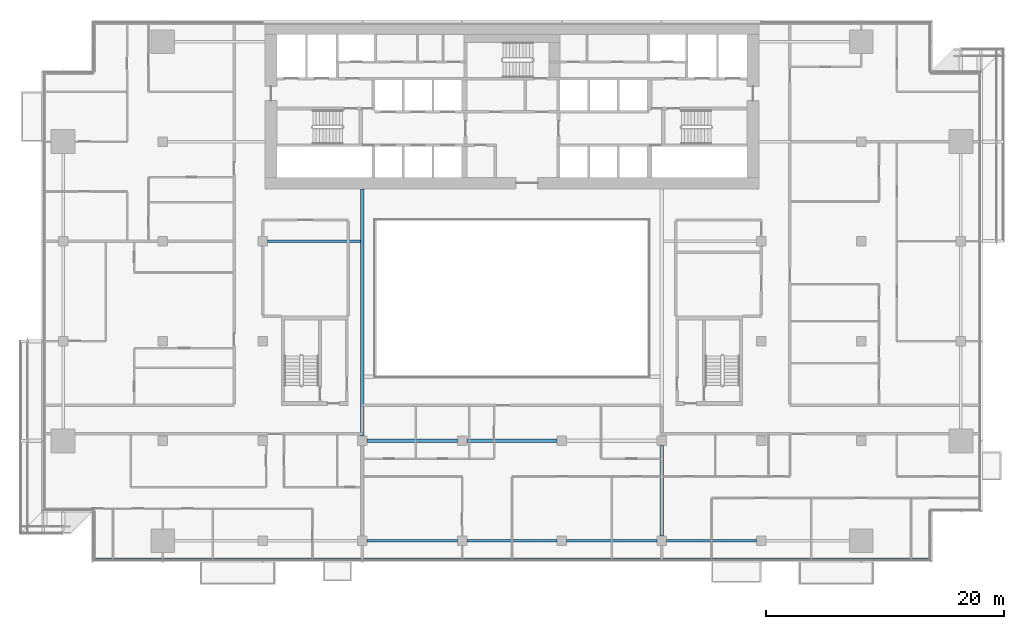
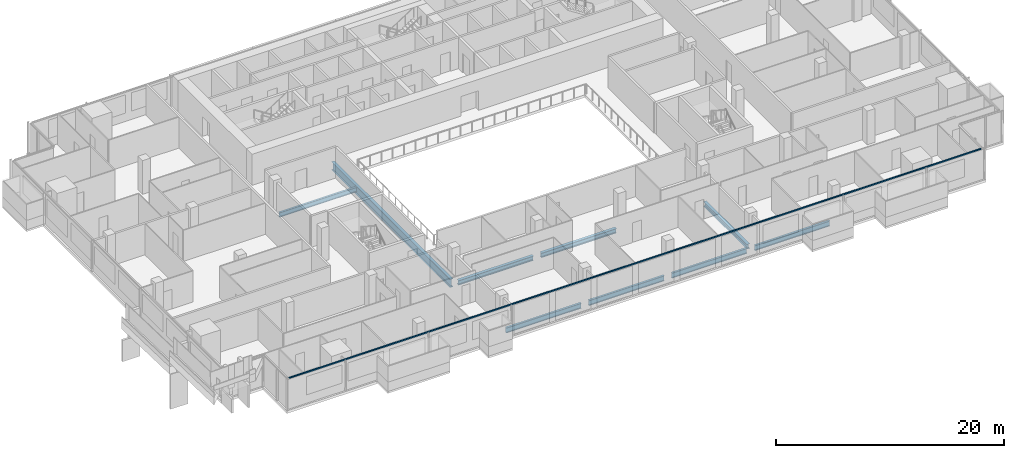
# One storey, part 5 of 29: 9 beams, 1 member, 1 element without a shape of its own.
"""IFC4 building model written with IfcOpenShell, lengths in metres."""

import ifcopenshell
import ifcopenshell.guid

model = None  # the IFC model being written
_history = None  # IfcOwnerHistory: only IFC2X3 demands one
_inside = {}  # id of a spatial element -> (the spatial element, [elements in it])
_under = {}  # id of a project, library or spatial element -> (it, [spatial elements below it])
_declared = {}  # id of a project -> (the project, [libraries it declares])
_typed = {}  # id of a type object -> (the type object, [elements of that type])
_made_of = {}  # id of a material, layer set ... -> (it, [elements and type objects made of it])


def new_model(schema):
    """Start an empty IFC model of exactly this schema.

    Asked for "IFC4X3", IfcOpenShell would pick the latest addendum, in which some entities
    have other attributes; the version numbers below select the first issue.
    IFC2X3 requires an IfcOwnerHistory on every rooted entity: one is made here for all.
    """
    global model, _history
    if schema == "IFC4X3":
        model = ifcopenshell.file(schema_version=(4, 3, 0, 0))
    else:
        model = ifcopenshell.file(schema=schema)
    _inside.clear()
    _under.clear()
    _declared.clear()
    _typed.clear()
    _made_of.clear()
    _history = None
    if model.schema == "IFC2X3":
        org = make("IfcOrganization", Name="unknown")
        user = make(
            "IfcPersonAndOrganization",
            ThePerson=make("IfcPerson", FamilyName="unknown"),
            TheOrganization=org,
        )
        app = make(
            "IfcApplication",
            ApplicationDeveloper=org,
            Version="unknown",
            ApplicationFullName="unknown",
            ApplicationIdentifier="unknown",
        )
        _history = make(
            "IfcOwnerHistory",
            OwningUser=user,
            OwningApplication=app,
            ChangeAction="ADDED",
            CreationDate=0,
        )
    return model


def make(cls, **values):
    """One entity of the class cls with the attributes given. An attribute that is None is left unset."""
    return model.create_entity(
        cls, **{name: value for name, value in values.items() if value is not None}
    )


def rooted(cls, **values):
    """An entity with a GlobalId (a new one), such as an element, a storey or a relation."""
    return make(cls, GlobalId=ifcopenshell.guid.new(), OwnerHistory=_history, **values)


def si_unit(unit_type, name, prefix=None):
    """IfcSIUnit, for example si_unit("LENGTHUNIT", "METRE", prefix="MILLI")."""
    return make("IfcSIUnit", UnitType=unit_type, Prefix=prefix, Name=name)


def assignment(units):
    """IfcUnitAssignment: the units of a project."""
    return None if units is None else make("IfcUnitAssignment", Units=units)


def point(xyz):
    """IfcCartesianPoint."""
    return None if xyz is None else make("IfcCartesianPoint", Coordinates=xyz)


def direction(xyz):
    """IfcDirection."""
    return None if xyz is None else make("IfcDirection", DirectionRatios=xyz)


def frame(location, z_axis=None, x_axis=None):
    """IfcAxis2Placement3D, a coordinate frame: its origin and axes. An axis left out is left unset."""
    return make(
        "IfcAxis2Placement3D",
        Location=point(location),
        Axis=direction(z_axis),
        RefDirection=direction(x_axis),
    )


def frame_2d(location, x_axis=None):
    """IfcAxis2Placement2D, a coordinate frame in the plane: its origin and x axis."""
    return make(
        "IfcAxis2Placement2D", Location=point(location), RefDirection=direction(x_axis)
    )


def origin():
    """The frame at (0, 0, 0) with its axes left unset."""
    return frame((0.0, 0.0, 0.0))


def origin_2d():
    """The frame at (0, 0) in the plane with its x axis left unset."""
    return frame_2d((0.0, 0.0))


def place(relative_to, where):
    """IfcLocalPlacement: puts the frame where relative to a parent placement (None: the world)."""
    return make(
        "IfcLocalPlacement", PlacementRelTo=relative_to, RelativePlacement=where
    )


def context(
    kind, dimensions, precision=None, world=None, true_north=None, identifier=None
):
    """IfcGeometricRepresentationContext, for example the 3D "Model" context."""
    return make(
        "IfcGeometricRepresentationContext",
        ContextIdentifier=identifier,
        ContextType=kind,
        CoordinateSpaceDimension=dimensions,
        Precision=precision,
        WorldCoordinateSystem=world,
        TrueNorth=true_north,
    )


def subcontext(parent, identifier, kind, view, scale=None):
    """IfcGeometricRepresentationSubContext, for example "Body" below "Model"."""
    return make(
        "IfcGeometricRepresentationSubContext",
        ContextIdentifier=identifier,
        ContextType=kind,
        ParentContext=parent,
        TargetScale=scale,
        TargetView=view,
    )


def project(units=None, contexts=None):
    """IfcProject with its units and contexts."""
    return rooted(
        "IfcProject",
        Name="project",
        RepresentationContexts=contexts,
        UnitsInContext=assignment(units),
    )


def spatial(cls, under=None, at=None, **own):
    """A site, building, storey or space (cls), placed at a placement, below another one or the project."""
    s = rooted(cls, ObjectPlacement=at, **own)
    if under is not None:
        _under.setdefault(under.id(), (under, []))[1].append(s)
    return s


def profile(cls, at=None, kind="AREA", **sizes):
    """A parametric profile (cls). Its sizes go by their IFC names, for example OverallWidth=200.0."""
    return make(cls, ProfileType=kind, Position=at, **sizes)


def rectangle(**sizes):
    """IfcRectangleProfileDef."""
    return profile("IfcRectangleProfileDef", **sizes)


def i_section(**sizes):
    """IfcIShapeProfileDef."""
    return profile("IfcIShapeProfileDef", **sizes)


def extrude(swept, where, along, depth):
    """IfcExtrudedAreaSolid: the profile swept, set in the frame where, extruded along a direction by depth."""
    return make(
        "IfcExtrudedAreaSolid",
        SweptArea=swept,
        Position=where,
        ExtrudedDirection=direction(along),
        Depth=depth,
    )


def shape(context_of_items, identifier, shape_type, items):
    """IfcShapeRepresentation: the items that make up one representation, for example the "Body"."""
    return make(
        "IfcShapeRepresentation",
        ContextOfItems=context_of_items,
        RepresentationIdentifier=identifier,
        RepresentationType=shape_type,
        Items=items,
    )


def material(Name=None, Category=None):
    """IfcMaterial."""
    return make("IfcMaterial", Name=Name, Category=Category)


def material_profile(
    of_material, cross_section, Name=None, Category=None, Priority=None
):
    """IfcMaterialProfile: a cross section and its material."""
    return make(
        "IfcMaterialProfile",
        Name=Name,
        Material=of_material,
        Profile=cross_section,
        Priority=Priority,
        Category=Category,
    )


def profile_set(profiles, Name=None, composite=None):
    """IfcMaterialProfileSet."""
    return make(
        "IfcMaterialProfileSet",
        Name=Name,
        MaterialProfiles=profiles,
        CompositeProfile=composite,
    )


def made_of(thing, what):
    """Note that an element or type object is made of a material, layer set ...; save() writes the relation."""
    if what is not None:
        _made_of.setdefault(what.id(), (what, []))[1].append(thing)
    return thing


def type_object(cls, material=None, **own):
    """A type object (cls), such as IfcWallType, which elements share."""
    return made_of(rooted(cls, **own), material)


def element(
    cls,
    number,
    at=None,
    inside=None,
    cuts=None,
    type_object=None,
    material=None,
    context=None,
    identifier="Body",
    shape_type=None,
    held_by="IfcProductDefinitionShape",
    body=None,
    shapes=None,
    **own,
):
    """One element of the class cls, such as IfcWall. Its Tag is "e" and its number.

    at: its placement. inside: the storey or other place that contains it. cuts: it is an
    opening in that element (IfcRelVoidsElement). A single representation is given by context,
    identifier, shape_type and body (its items); several are given by shapes. held_by: the class
    of the entity that holds the representations. save() writes the other relations.
    """
    e = rooted(cls, Tag="e%d" % number, ObjectPlacement=at, **own)
    if body is not None:
        shapes = [shape(context, identifier, shape_type, body)]
    if shapes is not None:
        e.Representation = make(held_by, Representations=shapes)
    if inside is not None:
        _inside.setdefault(inside.id(), (inside, []))[1].append(e)
    if cuts is not None:
        rooted(
            "IfcRelVoidsElement", RelatingBuildingElement=cuts, RelatedOpeningElement=e
        )
    if type_object is not None:
        _typed.setdefault(type_object.id(), (type_object, []))[1].append(e)
    return made_of(e, material)


def aggregate(whole, parts):
    """IfcRelAggregates: a whole, such as a stair, and the parts it consists of."""
    return rooted("IfcRelAggregates", RelatingObject=whole, RelatedObjects=parts)


def save(model, path):
    """Write the relations noted so far, then the file.

    IfcRelAggregates (storeys below a building ...), IfcRelContainedInSpatialStructure (elements
    in a storey), IfcRelDefinesByType, IfcRelAssociatesMaterial and IfcRelDeclares: one each for
    every whole, place, type object, material and project.
    """
    for whole, parts in _under.values():
        aggregate(whole, parts)
    for where, things in _inside.values():
        rooted(
            "IfcRelContainedInSpatialStructure",
            RelatedElements=things,
            RelatingStructure=where,
        )
    for kind, things in _typed.values():
        rooted("IfcRelDefinesByType", RelatedObjects=things, RelatingType=kind)
    for what, things in _made_of.values():
        rooted("IfcRelAssociatesMaterial", RelatedObjects=things, RelatingMaterial=what)
    for by, libraries in _declared.values():
        rooted("IfcRelDeclares", RelatingContext=by, RelatedDefinitions=libraries)
    model.write(path)


model = new_model("IFC4")

# Units and contexts
model_context = context("Model", 3, precision=1e-05, world=origin(), true_north=direction((0.0, 1.0)))
body_context = subcontext(model_context, "Body", "Model", "MODEL_VIEW")
ifc_project = project(units=[si_unit("LENGTHUNIT", "METRE"), si_unit("AREAUNIT", "SQUARE_METRE"), si_unit("VOLUMEUNIT", "CUBIC_METRE"), si_unit("PLANEANGLEUNIT", "RADIAN"), si_unit("MASSUNIT", "GRAM", prefix="KILO")], contexts=[model_context])

# Site, building, storey
site_placement = place(None, origin())
site = spatial("IfcSite", under=ifc_project, at=site_placement, CompositionType="ELEMENT")
building_placement = place(site_placement, origin())
building = spatial("IfcBuilding", under=site, at=building_placement, Name="Saffron Gate Tower", CompositionType="ELEMENT")
storey_placement = place(building_placement, frame((0.0, 0.0, 113.25)))
storey = spatial("IfcBuildingStorey", under=building, at=storey_placement, Name="L26", CompositionType="ELEMENT", Elevation=113.25)

# Beams
ifc_material_1 = material(Name="Structural steel S355", Category="steel")
ifc_material_profile_1 = material_profile(ifc_material_1, i_section(OverallWidth=0.199951171875, OverallDepth=0.5, WebThickness=0.01025390625, FlangeThickness=0.01611328125, FilletRadius=0.02099609375, at=origin_2d()))
ifc_profile_set_1 = profile_set([ifc_material_profile_1], Name="Structural steel S355")
beam_type_1 = type_object("IfcBeamType", Name="B10 IPE 500", PredefinedType="BEAM", material=ifc_profile_set_1)
beam_1_placement = place(storey_placement, frame((67.0, 57.0, -0.530029296875), z_axis=(1.0, 0.0, 0.0), x_axis=(0.0, 1.0, 0.0)))
element("IfcBeam", 1, at=beam_1_placement, inside=storey, type_object=beam_type_1, Name="B10 CORE TIE BEAM", PredefinedType="BEAM", context=body_context, shape_type="SweptSolid", body=[
    extrude(i_section(OverallWidth=0.199951171875, OverallDepth=0.5, WebThickness=0.01025390625, FlangeThickness=0.01611328125, FilletRadius=0.02099609375, at=origin_2d()), origin(), (0.0, 0.0, 1.0), 7.85009765625),
])
ifc_material_profile_2 = material_profile(ifc_material_1, i_section(OverallWidth=0.2099609375, OverallDepth=0.550048828125, WebThickness=0.010986328125, FlangeThickness=0.01708984375, FilletRadius=0.02392578125, at=origin_2d()))
ifc_profile_set_2 = profile_set([ifc_material_profile_2], Name="Structural steel S355")
beam_type_2 = type_object("IfcBeamType", Name="B13 IPE 550", PredefinedType="SPANDREL", material=ifc_profile_set_2)
beam_2_placement = place(storey_placement, frame((75.39990234375, 31.800048828125, -0.554931640625), z_axis=(1.0, 0.0, 0.0), x_axis=(0.0, 1.0, 0.0)))
element("IfcBeam", 2, at=beam_2_placement, inside=storey, type_object=beam_type_2, Name="B13 SPANDREL BEAM", PredefinedType="SPANDREL", context=body_context, shape_type="SweptSolid", body=[
    extrude(i_section(OverallWidth=0.2099609375, OverallDepth=0.550048828125, WebThickness=0.010986328125, FlangeThickness=0.01708984375, FilletRadius=0.02392578125, at=origin_2d()), origin(), (0.0, 0.0, 1.0), 7.60009765625),
])
beam_3_placement = place(storey_placement, frame((83.800048828125, 31.800048828125, -0.554931640625), z_axis=(1.0, 0.0, 0.0), x_axis=(0.0, 1.0, 0.0)))
element("IfcBeam", 3, at=beam_3_placement, inside=storey, type_object=beam_type_2, Name="B13 SPANDREL BEAM", PredefinedType="SPANDREL", context=body_context, shape_type="SweptSolid", body=[
    extrude(i_section(OverallWidth=0.2099609375, OverallDepth=0.550048828125, WebThickness=0.010986328125, FlangeThickness=0.01708984375, FilletRadius=0.02392578125, at=origin_2d()), origin(), (0.0, 0.0, 1.0), 7.599853515625),
])
beam_4_placement = place(storey_placement, frame((92.199951171875, 31.800048828125, -0.554931640625), z_axis=(1.0, 0.0, 0.0), x_axis=(0.0, 1.0, 0.0)))
element("IfcBeam", 4, at=beam_4_placement, inside=storey, type_object=beam_type_2, Name="B13 SPANDREL BEAM", PredefinedType="SPANDREL", context=body_context, shape_type="SweptSolid", body=[
    extrude(i_section(OverallWidth=0.2099609375, OverallDepth=0.550048828125, WebThickness=0.010986328125, FlangeThickness=0.01708984375, FilletRadius=0.02392578125, at=origin_2d()), origin(), (0.0, 0.0, 1.0), 7.60009765625),
])
beam_5_placement = place(storey_placement, frame((100.60009765625, 31.800048828125, -0.554931640625), z_axis=(1.0, 0.0, 0.0), x_axis=(0.0, 1.0, 0.0)))
element("IfcBeam", 5, at=beam_5_placement, inside=storey, type_object=beam_type_2, Name="B13 SPANDREL BEAM", PredefinedType="SPANDREL", context=body_context, shape_type="SweptSolid", body=[
    extrude(i_section(OverallWidth=0.2099609375, OverallDepth=0.550048828125, WebThickness=0.010986328125, FlangeThickness=0.01708984375, FilletRadius=0.02392578125, at=origin_2d()), origin(), (0.0, 0.0, 1.0), 7.599853515625),
])
ifc_material_profile_3 = material_profile(ifc_material_1, i_section(OverallWidth=0.300048828125, OverallDepth=0.889892578125, WebThickness=0.01611328125, FlangeThickness=0.030029296875, FilletRadius=0.030029296875, at=origin_2d()))
ifc_profile_set_3 = profile_set([ifc_material_profile_3], Name="Structural steel S355")
beam_type_3 = type_object("IfcBeamType", Name="B19 HEA 900", PredefinedType="BEAM", material=ifc_profile_set_3)
beam_6_placement = place(storey_placement, frame((75.0, 40.60009765625, -0.72509765625), z_axis=(0.0, 1.0, 0.0), x_axis=(-1.0, 0.0, 0.0)))
element("IfcBeam", 6, at=beam_6_placement, inside=storey, type_object=beam_type_3, Name="B19 ATRIUM GIRDER", PredefinedType="BEAM", context=body_context, shape_type="SweptSolid", body=[
    extrude(i_section(OverallWidth=0.300048828125, OverallDepth=0.889892578125, WebThickness=0.01611328125, FlangeThickness=0.030029296875, FilletRadius=0.030029296875, at=origin_2d()), origin(), (0.0, 0.0, 1.0), 20.7998046875),
])
ifc_material_profile_4 = material_profile(ifc_material_1, i_section(OverallWidth=0.300048828125, OverallDepth=0.489990234375, WebThickness=0.011962890625, FlangeThickness=0.02294921875, FilletRadius=0.027099609375, at=origin_2d()))
ifc_profile_set_4 = profile_set([ifc_material_profile_4], Name="Structural steel S355")
beam_type_4 = type_object("IfcBeamType", Name="B8 HEA 500", PredefinedType="BEAM", material=ifc_profile_set_4)
for number, where, z_axis, x_axis, name in (
    (7, (100.199951171875, 32.199951171875, -0.52490234375), (0.0, 1.0, 0.0), (-1.0, 0.0, 0.0), "B8 FLOOR GIRDER"),
    (8, (75.39990234375, 40.199951171875, -0.52490234375), (1.0, 0.0, 0.0), (0.0, 1.0, 0.0), "B8 FLOOR GIRDER"),
):
    element("IfcBeam", number, at=place(storey_placement, frame(where, z_axis=z_axis, x_axis=x_axis)), inside=storey, type_object=beam_type_4, Name=name, PredefinedType="BEAM", context=body_context, shape_type="SweptSolid", body=[
        extrude(i_section(OverallWidth=0.300048828125, OverallDepth=0.489990234375, WebThickness=0.011962890625, FlangeThickness=0.02294921875, FilletRadius=0.027099609375, at=origin_2d()), origin(), (0.0, 0.0, 1.0), 7.60009765625),
    ])
beam_7_placement = place(storey_placement, frame((83.800048828125, 40.199951171875, -0.52490234375), z_axis=(1.0, 0.0, 0.0), x_axis=(0.0, 1.0, 0.0)))
element("IfcBeam", 9, at=beam_7_placement, inside=storey, type_object=beam_type_4, Name="B8 FLOOR GIRDER", PredefinedType="BEAM", context=body_context, shape_type="SweptSolid", body=[
    extrude(i_section(OverallWidth=0.300048828125, OverallDepth=0.489990234375, WebThickness=0.011962890625, FlangeThickness=0.02294921875, FilletRadius=0.027099609375, at=origin_2d()), origin(), (0.0, 0.0, 1.0), 7.599853515625),
])

# Curtain wall, member
ifc_material_2 = material(Name="Aluminium, bronze anodised", Category="aluminium")
curtain_wall_type = type_object("IfcCurtainWallType", Name="CWS1 curtain wall front facade", PredefinedType="NOTDEFINED", material=ifc_material_2)
curtain_wall_placement = place(storey_placement, origin())
curtain_wall = element("IfcCurtainWall", 10, at=curtain_wall_placement, inside=storey, type_object=curtain_wall_type, Name="CWS1 run 1", PredefinedType="NOTDEFINED")
ifc_material_profile_5 = material_profile(ifc_material_2, rectangle(XDim=0.1201171875, YDim=0.1201171875, at=origin_2d()))
ifc_profile_set_5 = profile_set([ifc_material_profile_5], Name="Aluminium, bronze anodised")
member_type = type_object("IfcMemberType", Name="CWS1 head transom", PredefinedType="USERDEFINED", material=ifc_profile_set_5)
member_placement = place(storey_placement, frame((52.568115234375, 30.248046875, 3.260009765625), z_axis=(1.0, 0.0, 0.0), x_axis=(0.0, 1.0, 0.0)))
member = element("IfcMember", 11, at=member_placement, type_object=member_type, Name="CWS1 head transom", ObjectType="TRANSOM", PredefinedType="USERDEFINED", context=body_context, shape_type="SweptSolid", body=[
    extrude(rectangle(XDim=0.1201171875, YDim=0.1201171875, at=origin_2d()), origin(), (0.0, 0.0, 1.0), 70.06396484375),
])
aggregate(curtain_wall, [member])

save(model, "model.ifc")
